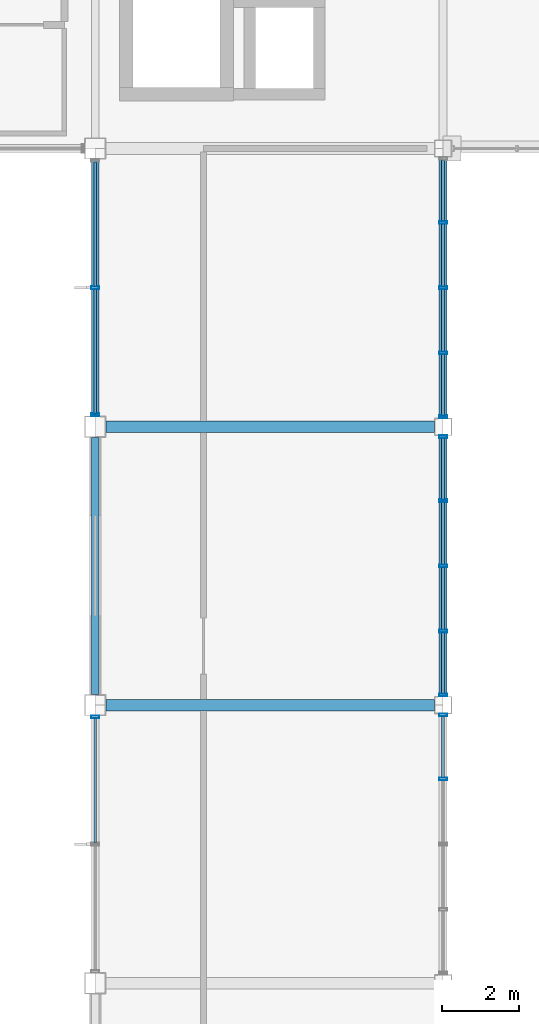
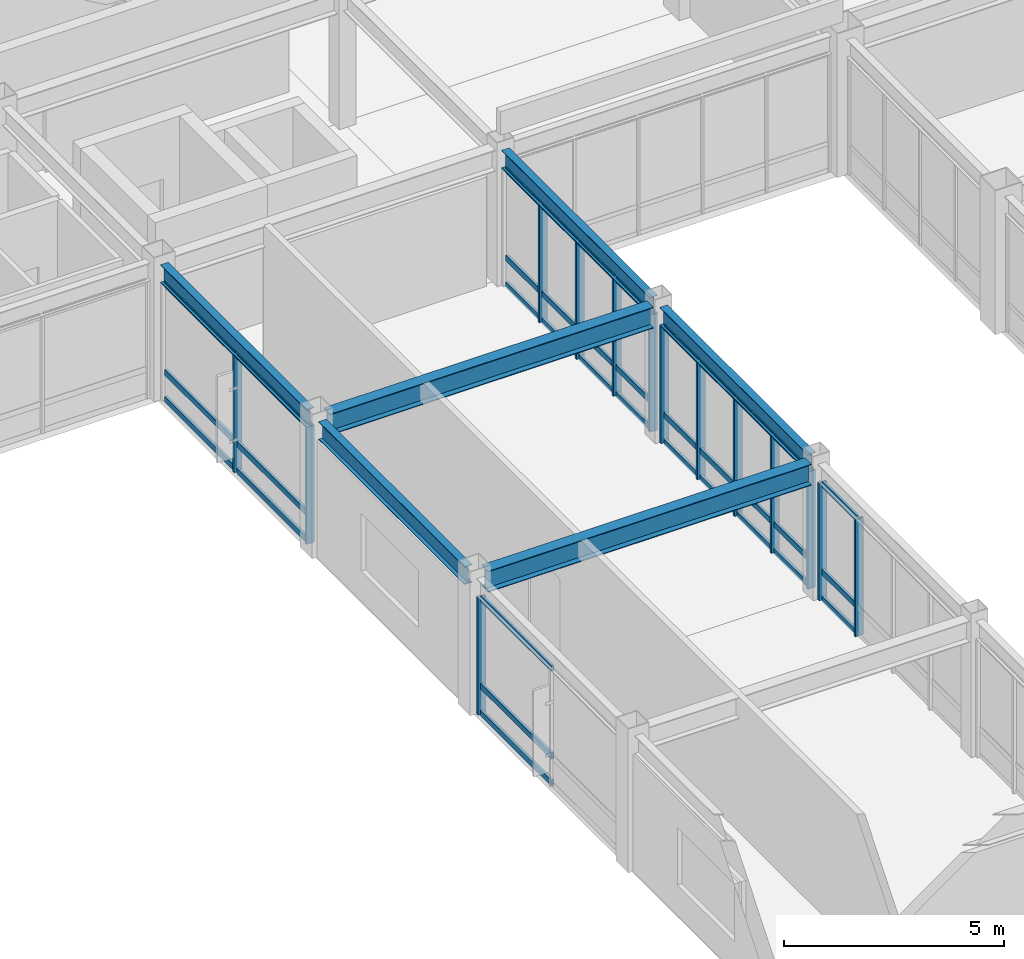
# One storey, part 48 of 122: 50 members, 6 beams, 5 elements without a shape of their own.
"""IFC4 building model written with IfcOpenShell, lengths in metres."""

import ifcopenshell
import ifcopenshell.guid

model = None  # the IFC model being written
_history = None  # IfcOwnerHistory: only IFC2X3 demands one
_inside = {}  # id of a spatial element -> (the spatial element, [elements in it])
_under = {}  # id of a project, library or spatial element -> (it, [spatial elements below it])
_declared = {}  # id of a project -> (the project, [libraries it declares])
_typed = {}  # id of a type object -> (the type object, [elements of that type])
_made_of = {}  # id of a material, layer set ... -> (it, [elements and type objects made of it])


def new_model(schema):
    """Start an empty IFC model of exactly this schema.

    Asked for "IFC4X3", IfcOpenShell would pick the latest addendum, in which some entities
    have other attributes; the version numbers below select the first issue.
    IFC2X3 requires an IfcOwnerHistory on every rooted entity: one is made here for all.
    """
    global model, _history
    if schema == "IFC4X3":
        model = ifcopenshell.file(schema_version=(4, 3, 0, 0))
    else:
        model = ifcopenshell.file(schema=schema)
    _inside.clear()
    _under.clear()
    _declared.clear()
    _typed.clear()
    _made_of.clear()
    _history = None
    if model.schema == "IFC2X3":
        org = make("IfcOrganization", Name="unknown")
        user = make(
            "IfcPersonAndOrganization",
            ThePerson=make("IfcPerson", FamilyName="unknown"),
            TheOrganization=org,
        )
        app = make(
            "IfcApplication",
            ApplicationDeveloper=org,
            Version="unknown",
            ApplicationFullName="unknown",
            ApplicationIdentifier="unknown",
        )
        _history = make(
            "IfcOwnerHistory",
            OwningUser=user,
            OwningApplication=app,
            ChangeAction="ADDED",
            CreationDate=0,
        )
    return model


def make(cls, **values):
    """One entity of the class cls with the attributes given. An attribute that is None is left unset."""
    return model.create_entity(
        cls, **{name: value for name, value in values.items() if value is not None}
    )


def rooted(cls, **values):
    """An entity with a GlobalId (a new one), such as an element, a storey or a relation."""
    return make(cls, GlobalId=ifcopenshell.guid.new(), OwnerHistory=_history, **values)


def si_unit(unit_type, name, prefix=None):
    """IfcSIUnit, for example si_unit("LENGTHUNIT", "METRE", prefix="MILLI")."""
    return make("IfcSIUnit", UnitType=unit_type, Prefix=prefix, Name=name)


def assignment(units):
    """IfcUnitAssignment: the units of a project."""
    return None if units is None else make("IfcUnitAssignment", Units=units)


def point(xyz):
    """IfcCartesianPoint."""
    return None if xyz is None else make("IfcCartesianPoint", Coordinates=xyz)


def direction(xyz):
    """IfcDirection."""
    return None if xyz is None else make("IfcDirection", DirectionRatios=xyz)


def frame(location, z_axis=None, x_axis=None):
    """IfcAxis2Placement3D, a coordinate frame: its origin and axes. An axis left out is left unset."""
    return make(
        "IfcAxis2Placement3D",
        Location=point(location),
        Axis=direction(z_axis),
        RefDirection=direction(x_axis),
    )


def frame_2d(location, x_axis=None):
    """IfcAxis2Placement2D, a coordinate frame in the plane: its origin and x axis."""
    return make(
        "IfcAxis2Placement2D", Location=point(location), RefDirection=direction(x_axis)
    )


def origin():
    """The frame at (0, 0, 0) with its axes left unset."""
    return frame((0.0, 0.0, 0.0))


def origin_2d():
    """The frame at (0, 0) in the plane with its x axis left unset."""
    return frame_2d((0.0, 0.0))


def place(relative_to, where):
    """IfcLocalPlacement: puts the frame where relative to a parent placement (None: the world)."""
    return make(
        "IfcLocalPlacement", PlacementRelTo=relative_to, RelativePlacement=where
    )


def context(
    kind, dimensions, precision=None, world=None, true_north=None, identifier=None
):
    """IfcGeometricRepresentationContext, for example the 3D "Model" context."""
    return make(
        "IfcGeometricRepresentationContext",
        ContextIdentifier=identifier,
        ContextType=kind,
        CoordinateSpaceDimension=dimensions,
        Precision=precision,
        WorldCoordinateSystem=world,
        TrueNorth=true_north,
    )


def subcontext(parent, identifier, kind, view, scale=None):
    """IfcGeometricRepresentationSubContext, for example "Body" below "Model"."""
    return make(
        "IfcGeometricRepresentationSubContext",
        ContextIdentifier=identifier,
        ContextType=kind,
        ParentContext=parent,
        TargetScale=scale,
        TargetView=view,
    )


def project(units=None, contexts=None):
    """IfcProject with its units and contexts."""
    return rooted(
        "IfcProject",
        Name="project",
        RepresentationContexts=contexts,
        UnitsInContext=assignment(units),
    )


def spatial(cls, under=None, at=None, **own):
    """A site, building, storey or space (cls), placed at a placement, below another one or the project."""
    s = rooted(cls, ObjectPlacement=at, **own)
    if under is not None:
        _under.setdefault(under.id(), (under, []))[1].append(s)
    return s


def profile(cls, at=None, kind="AREA", **sizes):
    """A parametric profile (cls). Its sizes go by their IFC names, for example OverallWidth=200.0."""
    return make(cls, ProfileType=kind, Position=at, **sizes)


def hollow_rectangle(**sizes):
    """IfcRectangleHollowProfileDef."""
    return profile("IfcRectangleHollowProfileDef", **sizes)


def i_section(**sizes):
    """IfcIShapeProfileDef."""
    return profile("IfcIShapeProfileDef", **sizes)


def extrude(swept, where, along, depth):
    """IfcExtrudedAreaSolid: the profile swept, set in the frame where, extruded along a direction by depth."""
    return make(
        "IfcExtrudedAreaSolid",
        SweptArea=swept,
        Position=where,
        ExtrudedDirection=direction(along),
        Depth=depth,
    )


def shape(context_of_items, identifier, shape_type, items):
    """IfcShapeRepresentation: the items that make up one representation, for example the "Body"."""
    return make(
        "IfcShapeRepresentation",
        ContextOfItems=context_of_items,
        RepresentationIdentifier=identifier,
        RepresentationType=shape_type,
        Items=items,
    )


def material(Name=None, Category=None):
    """IfcMaterial."""
    return make("IfcMaterial", Name=Name, Category=Category)


def material_profile(
    of_material, cross_section, Name=None, Category=None, Priority=None
):
    """IfcMaterialProfile: a cross section and its material."""
    return make(
        "IfcMaterialProfile",
        Name=Name,
        Material=of_material,
        Profile=cross_section,
        Priority=Priority,
        Category=Category,
    )


def profile_set(profiles, Name=None, composite=None):
    """IfcMaterialProfileSet."""
    return make(
        "IfcMaterialProfileSet",
        Name=Name,
        MaterialProfiles=profiles,
        CompositeProfile=composite,
    )


def made_of(thing, what):
    """Note that an element or type object is made of a material, layer set ...; save() writes the relation."""
    if what is not None:
        _made_of.setdefault(what.id(), (what, []))[1].append(thing)
    return thing


def type_object(cls, material=None, **own):
    """A type object (cls), such as IfcWallType, which elements share."""
    return made_of(rooted(cls, **own), material)


def element(
    cls,
    number,
    at=None,
    inside=None,
    cuts=None,
    type_object=None,
    material=None,
    context=None,
    identifier="Body",
    shape_type=None,
    held_by="IfcProductDefinitionShape",
    body=None,
    shapes=None,
    **own,
):
    """One element of the class cls, such as IfcWall. Its Tag is "e" and its number.

    at: its placement. inside: the storey or other place that contains it. cuts: it is an
    opening in that element (IfcRelVoidsElement). A single representation is given by context,
    identifier, shape_type and body (its items); several are given by shapes. held_by: the class
    of the entity that holds the representations. save() writes the other relations.
    """
    e = rooted(cls, Tag="e%d" % number, ObjectPlacement=at, **own)
    if body is not None:
        shapes = [shape(context, identifier, shape_type, body)]
    if shapes is not None:
        e.Representation = make(held_by, Representations=shapes)
    if inside is not None:
        _inside.setdefault(inside.id(), (inside, []))[1].append(e)
    if cuts is not None:
        rooted(
            "IfcRelVoidsElement", RelatingBuildingElement=cuts, RelatedOpeningElement=e
        )
    if type_object is not None:
        _typed.setdefault(type_object.id(), (type_object, []))[1].append(e)
    return made_of(e, material)


def aggregate(whole, parts):
    """IfcRelAggregates: a whole, such as a stair, and the parts it consists of."""
    return rooted("IfcRelAggregates", RelatingObject=whole, RelatedObjects=parts)


def save(model, path):
    """Write the relations noted so far, then the file.

    IfcRelAggregates (storeys below a building ...), IfcRelContainedInSpatialStructure (elements
    in a storey), IfcRelDefinesByType, IfcRelAssociatesMaterial and IfcRelDeclares: one each for
    every whole, place, type object, material and project.
    """
    for whole, parts in _under.values():
        aggregate(whole, parts)
    for where, things in _inside.values():
        rooted(
            "IfcRelContainedInSpatialStructure",
            RelatedElements=things,
            RelatingStructure=where,
        )
    for kind, things in _typed.values():
        rooted("IfcRelDefinesByType", RelatedObjects=things, RelatingType=kind)
    for what, things in _made_of.values():
        rooted("IfcRelAssociatesMaterial", RelatedObjects=things, RelatingMaterial=what)
    for by, libraries in _declared.values():
        rooted("IfcRelDeclares", RelatingContext=by, RelatedDefinitions=libraries)
    model.write(path)


model = new_model("IFC4")

# Units and contexts
model_context = context("Model", 3, precision=1e-05, world=origin(), true_north=direction((0.0, 1.0)))
body_context = subcontext(model_context, "Body", "Model", "MODEL_VIEW")
ifc_project = project(units=[si_unit("LENGTHUNIT", "METRE"), si_unit("AREAUNIT", "SQUARE_METRE"), si_unit("VOLUMEUNIT", "CUBIC_METRE"), si_unit("PLANEANGLEUNIT", "RADIAN"), si_unit("MASSUNIT", "GRAM", prefix="KILO")], contexts=[model_context])

# Site, building, storey
site_placement = place(None, origin())
site = spatial("IfcSite", under=ifc_project, at=site_placement, CompositionType="ELEMENT")
building_placement = place(site_placement, origin())
building = spatial("IfcBuilding", under=site, at=building_placement, Name="Kazanami Central Library", CompositionType="ELEMENT")
storey_placement = place(building_placement, frame((0.0, 0.0, 4.800048828125)))
storey = spatial("IfcBuildingStorey", under=building, at=storey_placement, Name="L02", CompositionType="ELEMENT", Elevation=4.800048828125)

# Beams
ifc_material_1 = material(Name="Steel SN490B (325 MPa)", Category="steel")
ifc_material_profile_1 = material_profile(ifc_material_1, i_section(OverallWidth=0.300048828125, OverallDepth=0.587890625, WebThickness=0.011962890625, FlangeThickness=0.02001953125, at=origin_2d()), Name="H-588x300x12x20")
ifc_profile_set_1 = profile_set([ifc_material_profile_1], Name="Steel SN490B (325 MPa)")
beam_type_1 = type_object("IfcBeamType", Name="BM-G-X2", PredefinedType="BEAM", material=ifc_profile_set_1)
for number, where, z_axis, x_axis, name in (
    (1, (99.27294921875, 50.39990234375, 3.4609375), (1.0, 0.0, 0.0), (0.0, 1.0, 0.0), "Girder G-X2 L02 H/12-13"),
    (2, (99.27294921875, 57.60009765625, 3.4609375), (1.0, 0.0, 0.0), (0.0, 1.0, 0.0), "Girder G-X2 L02 J/12-13"),
):
    element("IfcBeam", number, at=place(storey_placement, frame(where, z_axis=z_axis, x_axis=x_axis)), inside=storey, type_object=beam_type_1, Name=name, PredefinedType="BEAM", context=body_context, shape_type="SweptSolid", body=[
        extrude(i_section(OverallWidth=0.300048828125, OverallDepth=0.587890625, WebThickness=0.011962890625, FlangeThickness=0.02001953125, at=origin_2d()), origin(), (0.0, 0.0, 1.0), 8.504150390625),
    ])
ifc_material_profile_2 = material_profile(ifc_material_1, i_section(OverallWidth=0.199951171875, OverallDepth=0.5, WebThickness=0.010009765625, FlangeThickness=0.01611328125, at=origin_2d()), Name="H-500x200x10x16")
ifc_profile_set_2 = profile_set([ifc_material_profile_2], Name="Steel SN490B (325 MPa)")
beam_type_2 = type_object("IfcBeamType", Name="BM-SP-1", PredefinedType="SPANDREL", material=ifc_profile_set_2)
beam_1_placement = place(storey_placement, frame((99.0, 50.673095703125, 3.5048828125), z_axis=(0.0, 1.0, 0.0), x_axis=(-1.0, 0.0, 0.0)))
element("IfcBeam", 3, at=beam_1_placement, inside=storey, type_object=beam_type_2, Name="Girder SP-1 L02 12/H-J", PredefinedType="SPANDREL", context=body_context, shape_type="SweptSolid", body=[
    extrude(i_section(OverallWidth=0.199951171875, OverallDepth=0.5, WebThickness=0.010009765625, FlangeThickness=0.01611328125, at=origin_2d()), origin(), (0.0, 0.0, 1.0), 6.65380859375),
])
beam_2_placement = place(storey_placement, frame((99.0, 57.873046875, 3.5048828125), z_axis=(0.0, 1.0, 0.0), x_axis=(-1.0, 0.0, 0.0)))
element("IfcBeam", 4, at=beam_2_placement, inside=storey, type_object=beam_type_2, Name="Girder SP-1 L02 12/J-K", PredefinedType="SPANDREL", context=body_context, shape_type="SweptSolid", body=[
    extrude(i_section(OverallWidth=0.199951171875, OverallDepth=0.5, WebThickness=0.010009765625, FlangeThickness=0.01611328125, at=origin_2d()), origin(), (0.0, 0.0, 1.0), 6.654052734375),
])
for number, where, z_axis, x_axis, name in (
    (5, (108.0, 50.623046875, 3.5048828125), (0.0, 1.0, 0.0), (-1.0, 0.0, 0.0), "Girder SP-1 L02 13/H-J"),
    (6, (108.0, 57.822998046875, 3.5048828125), (0.0, 1.0, 0.0), (-1.0, 0.0, 0.0), "Girder SP-1 L02 13/J-K"),
):
    element("IfcBeam", number, at=place(storey_placement, frame(where, z_axis=z_axis, x_axis=x_axis)), inside=storey, type_object=beam_type_2, Name=name, PredefinedType="SPANDREL", context=body_context, shape_type="SweptSolid", body=[
        extrude(i_section(OverallWidth=0.199951171875, OverallDepth=0.5, WebThickness=0.010009765625, FlangeThickness=0.01611328125, at=origin_2d()), origin(), (0.0, 0.0, 1.0), 6.75390625),
    ])

# Curtain wall, member
ifc_material_2 = material(Name="Acid-Etched Low-E Laminated Glass", Category="glass")
curtain_wall_type_1 = type_object("IfcCurtainWallType", Name="CW-6650x3255-M275", PredefinedType="USERDEFINED", material=ifc_material_2)
curtain_wall_1_placement = place(storey_placement, origin())
curtain_wall_1 = element("IfcCurtainWall", 7, at=curtain_wall_1_placement, inside=storey, type_object=curtain_wall_type_1, Name="Unitised Curtain Wall CW-22 L02 W-12-06", ObjectType="UNITISED CURTAIN WALL", PredefinedType="USERDEFINED")
ifc_material_3 = material(Name="Anodised Aluminium A6063-T5", Category="aluminium")
ifc_material_profile_3 = material_profile(ifc_material_3, hollow_rectangle(XDim=0.070068359375, YDim=0.2099609375, WallThickness=0.0048828125, at=origin_2d()), Name="ALU-MULL-70x210x5")
ifc_profile_set_3 = profile_set([ifc_material_profile_3], Name="Anodised Aluminium A6063-T5")
member_type_1 = type_object("IfcMemberType", Name="MEM-CW-M1", PredefinedType="MULLION", material=ifc_profile_set_3)
member_1_placement = place(storey_placement, frame((99.0, 50.090087890625, 0.0), z_axis=(0.0, 0.0, 1.0), x_axis=(0.0, 1.0, 0.0)))
member_1 = element("IfcMember", 8, at=member_1_placement, type_object=member_type_1, Name="CW-22 mullion 3", PredefinedType="MULLION", context=body_context, shape_type="SweptSolid", body=[
    extrude(hollow_rectangle(XDim=0.070068359375, YDim=0.2099609375, WallThickness=0.0048828125, at=origin_2d()), origin(), (0.0, 0.0, 1.0), 3.2548828125),
])

# Curtain wall, members
curtain_wall_2_placement = place(storey_placement, origin())
curtain_wall_2 = element("IfcCurtainWall", 9, at=curtain_wall_2_placement, inside=storey, type_object=curtain_wall_type_1, Name="Unitised Curtain Wall CW-22 L02 W-12-08", ObjectType="UNITISED CURTAIN WALL", PredefinedType="USERDEFINED")
member_2_placement = place(storey_placement, frame((99.0, 57.909912109375, 0.0), z_axis=(0.0, 0.0, 1.0), x_axis=(0.0, 1.0, 0.0)))
member_2 = element("IfcMember", 10, at=member_2_placement, type_object=member_type_1, Name="CW-22 mullion 1", PredefinedType="MULLION", context=body_context, shape_type="SweptSolid", body=[
    extrude(hollow_rectangle(XDim=0.070068359375, YDim=0.2099609375, WallThickness=0.0048828125, at=origin_2d()), origin(), (0.0, 0.0, 1.0), 3.2548828125),
])
member_3_placement = place(storey_placement, frame((99.0, 61.199951171875, 0.0), z_axis=(0.0, 0.0, 1.0), x_axis=(0.0, 1.0, 0.0)))
member_3 = element("IfcMember", 11, at=member_3_placement, type_object=member_type_1, Name="CW-22 mullion 2", PredefinedType="MULLION", context=body_context, shape_type="SweptSolid", body=[
    extrude(hollow_rectangle(XDim=0.070068359375, YDim=0.2099609375, WallThickness=0.0048828125, at=origin_2d()), origin(), (0.0, 0.0, 1.0), 3.2548828125),
])

curtain_wall_type_2 = type_object("IfcCurtainWallType", Name="CW-6750x3255-M180", PredefinedType="USERDEFINED", material=ifc_material_2)
curtain_wall_3_placement = place(storey_placement, origin())
curtain_wall_3 = element("IfcCurtainWall", 12, at=curtain_wall_3_placement, inside=storey, type_object=curtain_wall_type_2, Name="Covered Link Bridge Curtain Wall CW-21 L02 E-13-06", ObjectType="UNITISED CURTAIN WALL", PredefinedType="USERDEFINED")
member_4_placement = place(storey_placement, frame((108.0, 50.139892578125, 0.0), z_axis=(0.0, 0.0, 1.0), x_axis=(0.0, -1.0, 0.0)))
member_4 = element("IfcMember", 13, at=member_4_placement, type_object=member_type_1, Name="CW-21 mullion 1", PredefinedType="MULLION", context=body_context, shape_type="SweptSolid", body=[
    extrude(hollow_rectangle(XDim=0.070068359375, YDim=0.2099609375, WallThickness=0.0048828125, at=origin_2d()), origin(), (0.0, 0.0, 1.0), 3.2548828125),
])
member_5_placement = place(storey_placement, frame((108.0, 48.487548828125, 0.0), z_axis=(0.0, 0.0, 1.0), x_axis=(0.0, -1.0, 0.0)))
member_5 = element("IfcMember", 14, at=member_5_placement, type_object=member_type_1, Name="CW-21 mullion 2", PredefinedType="MULLION", context=body_context, shape_type="SweptSolid", body=[
    extrude(hollow_rectangle(XDim=0.070068359375, YDim=0.2099609375, WallThickness=0.0048828125, at=origin_2d()), origin(), (0.0, 0.0, 1.0), 3.2548828125),
])

curtain_wall_4_placement = place(storey_placement, origin())
curtain_wall_4 = element("IfcCurtainWall", 15, at=curtain_wall_4_placement, inside=storey, type_object=curtain_wall_type_2, Name="Covered Link Bridge Curtain Wall CW-21 L02 E-13-07", ObjectType="UNITISED CURTAIN WALL", PredefinedType="USERDEFINED")
member_6_placement = place(storey_placement, frame((108.0, 57.340087890625, 0.0), z_axis=(0.0, 0.0, 1.0), x_axis=(0.0, -1.0, 0.0)))
member_6 = element("IfcMember", 16, at=member_6_placement, type_object=member_type_1, Name="CW-21 mullion 1", PredefinedType="MULLION", context=body_context, shape_type="SweptSolid", body=[
    extrude(hollow_rectangle(XDim=0.070068359375, YDim=0.2099609375, WallThickness=0.0048828125, at=origin_2d()), origin(), (0.0, 0.0, 1.0), 3.2548828125),
])
member_7_placement = place(storey_placement, frame((108.0, 55.6875, 0.0), z_axis=(0.0, 0.0, 1.0), x_axis=(0.0, -1.0, 0.0)))
member_7 = element("IfcMember", 17, at=member_7_placement, type_object=member_type_1, Name="CW-21 mullion 2", PredefinedType="MULLION", context=body_context, shape_type="SweptSolid", body=[
    extrude(hollow_rectangle(XDim=0.070068359375, YDim=0.2099609375, WallThickness=0.0048828125, at=origin_2d()), origin(), (0.0, 0.0, 1.0), 3.2548828125),
])
member_8_placement = place(storey_placement, frame((108.0, 54.0, 0.0), z_axis=(0.0, 0.0, 1.0), x_axis=(0.0, -1.0, 0.0)))
member_8 = element("IfcMember", 18, at=member_8_placement, type_object=member_type_1, Name="CW-21 mullion 3", PredefinedType="MULLION", context=body_context, shape_type="SweptSolid", body=[
    extrude(hollow_rectangle(XDim=0.070068359375, YDim=0.2099609375, WallThickness=0.0048828125, at=origin_2d()), origin(), (0.0, 0.0, 1.0), 3.2548828125),
])
member_9_placement = place(storey_placement, frame((108.0, 52.3125, 0.0), z_axis=(0.0, 0.0, 1.0), x_axis=(0.0, -1.0, 0.0)))
member_9 = element("IfcMember", 19, at=member_9_placement, type_object=member_type_1, Name="CW-21 mullion 4", PredefinedType="MULLION", context=body_context, shape_type="SweptSolid", body=[
    extrude(hollow_rectangle(XDim=0.070068359375, YDim=0.2099609375, WallThickness=0.0048828125, at=origin_2d()), origin(), (0.0, 0.0, 1.0), 3.2548828125),
])
member_10_placement = place(storey_placement, frame((108.0, 50.659912109375, 0.0), z_axis=(0.0, 0.0, 1.0), x_axis=(0.0, -1.0, 0.0)))
member_10 = element("IfcMember", 20, at=member_10_placement, type_object=member_type_1, Name="CW-21 mullion 5", PredefinedType="MULLION", context=body_context, shape_type="SweptSolid", body=[
    extrude(hollow_rectangle(XDim=0.070068359375, YDim=0.2099609375, WallThickness=0.0048828125, at=origin_2d()), origin(), (0.0, 0.0, 1.0), 3.2548828125),
])

curtain_wall_5_placement = place(storey_placement, origin())
curtain_wall_5 = element("IfcCurtainWall", 21, at=curtain_wall_5_placement, inside=storey, type_object=curtain_wall_type_2, Name="Covered Link Bridge Curtain Wall CW-21 L02 E-13-08", ObjectType="UNITISED CURTAIN WALL", PredefinedType="USERDEFINED")
member_11_placement = place(storey_placement, frame((108.0, 62.887451171875, 0.0), z_axis=(0.0, 0.0, 1.0), x_axis=(0.0, -1.0, 0.0)))
member_11 = element("IfcMember", 22, at=member_11_placement, type_object=member_type_1, Name="CW-21 mullion 2", PredefinedType="MULLION", context=body_context, shape_type="SweptSolid", body=[
    extrude(hollow_rectangle(XDim=0.070068359375, YDim=0.2099609375, WallThickness=0.0048828125, at=origin_2d()), origin(), (0.0, 0.0, 1.0), 3.2548828125),
])
member_12_placement = place(storey_placement, frame((108.0, 61.199951171875, 0.0), z_axis=(0.0, 0.0, 1.0), x_axis=(0.0, -1.0, 0.0)))
member_12 = element("IfcMember", 23, at=member_12_placement, type_object=member_type_1, Name="CW-21 mullion 3", PredefinedType="MULLION", context=body_context, shape_type="SweptSolid", body=[
    extrude(hollow_rectangle(XDim=0.070068359375, YDim=0.2099609375, WallThickness=0.0048828125, at=origin_2d()), origin(), (0.0, 0.0, 1.0), 3.2548828125),
])
member_13_placement = place(storey_placement, frame((108.0, 59.512451171875, 0.0), z_axis=(0.0, 0.0, 1.0), x_axis=(0.0, -1.0, 0.0)))
member_13 = element("IfcMember", 24, at=member_13_placement, type_object=member_type_1, Name="CW-21 mullion 4", PredefinedType="MULLION", context=body_context, shape_type="SweptSolid", body=[
    extrude(hollow_rectangle(XDim=0.070068359375, YDim=0.2099609375, WallThickness=0.0048828125, at=origin_2d()), origin(), (0.0, 0.0, 1.0), 3.2548828125),
])
member_14_placement = place(storey_placement, frame((108.0, 57.860107421875, 0.0), z_axis=(0.0, 0.0, 1.0), x_axis=(0.0, -1.0, 0.0)))
member_14 = element("IfcMember", 25, at=member_14_placement, type_object=member_type_1, Name="CW-21 mullion 5", PredefinedType="MULLION", context=body_context, shape_type="SweptSolid", body=[
    extrude(hollow_rectangle(XDim=0.070068359375, YDim=0.2099609375, WallThickness=0.0048828125, at=origin_2d()), origin(), (0.0, 0.0, 1.0), 3.2548828125),
])

# Member
ifc_material_profile_4 = material_profile(ifc_material_3, hollow_rectangle(XDim=0.070068359375, YDim=0.159912109375, WallThickness=0.00390625, at=origin_2d()), Name="ALU-TRAN-70x160x4")
ifc_profile_set_4 = profile_set([ifc_material_profile_4], Name="Anodised Aluminium A6063-T5")
member_type_2 = type_object("IfcMemberType", Name="MEM-CW-T1", PredefinedType="USERDEFINED", material=ifc_profile_set_4)
member_15_placement = place(storey_placement, frame((99.0, 46.8349609375, 0.034912109375), z_axis=(0.0, 1.0, 0.0), x_axis=(-1.0, 0.0, 0.0)))
member_15 = element("IfcMember", 26, at=member_15_placement, type_object=member_type_2, Name="CW-22 transom 2.1", ObjectType="TRANSOM", PredefinedType="USERDEFINED", context=body_context, shape_type="SweptSolid", body=[
    extrude(hollow_rectangle(XDim=0.070068359375, YDim=0.159912109375, WallThickness=0.00390625, at=origin_2d()), origin(), (0.0, 0.0, 1.0), 3.219970703125),
])

member_16_placement = place(storey_placement, frame((99.0, 46.8349609375, 0.780029296875), z_axis=(0.0, 1.0, 0.0), x_axis=(-1.0, 0.0, 0.0)))
member_16 = element("IfcMember", 27, at=member_16_placement, type_object=member_type_2, Name="CW-22 transom 2.2", ObjectType="TRANSOM", PredefinedType="USERDEFINED", context=body_context, shape_type="SweptSolid", body=[
    extrude(hollow_rectangle(XDim=0.070068359375, YDim=0.159912109375, WallThickness=0.00390625, at=origin_2d()), origin(), (0.0, 0.0, 1.0), 3.219970703125),
])

member_17_placement = place(storey_placement, frame((99.0, 46.8349609375, 3.219970703125), z_axis=(0.0, 1.0, 0.0), x_axis=(-1.0, 0.0, 0.0)))
member_17 = element("IfcMember", 28, at=member_17_placement, type_object=member_type_2, Name="CW-22 transom 2.3", ObjectType="TRANSOM", PredefinedType="USERDEFINED", context=body_context, shape_type="SweptSolid", body=[
    extrude(hollow_rectangle(XDim=0.070068359375, YDim=0.159912109375, WallThickness=0.00390625, at=origin_2d()), origin(), (0.0, 0.0, 1.0), 3.219970703125),
])

aggregate(curtain_wall_1, [member_1, member_15, member_16, member_17])

member_18_placement = place(storey_placement, frame((99.0, 57.945068359375, 0.034912109375), z_axis=(0.0, 1.0, 0.0), x_axis=(-1.0, 0.0, 0.0)))
member_18 = element("IfcMember", 29, at=member_18_placement, type_object=member_type_2, Name="CW-22 transom 1.1", ObjectType="TRANSOM", PredefinedType="USERDEFINED", context=body_context, shape_type="SweptSolid", body=[
    extrude(hollow_rectangle(XDim=0.070068359375, YDim=0.159912109375, WallThickness=0.00390625, at=origin_2d()), origin(), (0.0, 0.0, 1.0), 3.219970703125),
])

member_19_placement = place(storey_placement, frame((99.0, 57.945068359375, 0.780029296875), z_axis=(0.0, 1.0, 0.0), x_axis=(-1.0, 0.0, 0.0)))
member_19 = element("IfcMember", 30, at=member_19_placement, type_object=member_type_2, Name="CW-22 transom 1.2", ObjectType="TRANSOM", PredefinedType="USERDEFINED", context=body_context, shape_type="SweptSolid", body=[
    extrude(hollow_rectangle(XDim=0.070068359375, YDim=0.159912109375, WallThickness=0.00390625, at=origin_2d()), origin(), (0.0, 0.0, 1.0), 3.219970703125),
])

member_20_placement = place(storey_placement, frame((99.0, 57.945068359375, 3.219970703125), z_axis=(0.0, 1.0, 0.0), x_axis=(-1.0, 0.0, 0.0)))
member_20 = element("IfcMember", 31, at=member_20_placement, type_object=member_type_2, Name="CW-22 transom 1.3", ObjectType="TRANSOM", PredefinedType="USERDEFINED", context=body_context, shape_type="SweptSolid", body=[
    extrude(hollow_rectangle(XDim=0.070068359375, YDim=0.159912109375, WallThickness=0.00390625, at=origin_2d()), origin(), (0.0, 0.0, 1.0), 3.219970703125),
])

member_21_placement = place(storey_placement, frame((99.0, 61.235107421875, 0.034912109375), z_axis=(0.0, 1.0, 0.0), x_axis=(-1.0, 0.0, 0.0)))
member_21 = element("IfcMember", 32, at=member_21_placement, type_object=member_type_2, Name="CW-22 transom 2.1", ObjectType="TRANSOM", PredefinedType="USERDEFINED", context=body_context, shape_type="SweptSolid", body=[
    extrude(hollow_rectangle(XDim=0.070068359375, YDim=0.159912109375, WallThickness=0.00390625, at=origin_2d()), origin(), (0.0, 0.0, 1.0), 3.219970703125),
])

member_22_placement = place(storey_placement, frame((99.0, 61.235107421875, 0.780029296875), z_axis=(0.0, 1.0, 0.0), x_axis=(-1.0, 0.0, 0.0)))
member_22 = element("IfcMember", 33, at=member_22_placement, type_object=member_type_2, Name="CW-22 transom 2.2", ObjectType="TRANSOM", PredefinedType="USERDEFINED", context=body_context, shape_type="SweptSolid", body=[
    extrude(hollow_rectangle(XDim=0.070068359375, YDim=0.159912109375, WallThickness=0.00390625, at=origin_2d()), origin(), (0.0, 0.0, 1.0), 3.219970703125),
])

member_23_placement = place(storey_placement, frame((99.0, 61.235107421875, 3.219970703125), z_axis=(0.0, 1.0, 0.0), x_axis=(-1.0, 0.0, 0.0)))
member_23 = element("IfcMember", 34, at=member_23_placement, type_object=member_type_2, Name="CW-22 transom 2.3", ObjectType="TRANSOM", PredefinedType="USERDEFINED", context=body_context, shape_type="SweptSolid", body=[
    extrude(hollow_rectangle(XDim=0.070068359375, YDim=0.159912109375, WallThickness=0.00390625, at=origin_2d()), origin(), (0.0, 0.0, 1.0), 3.219970703125),
])

aggregate(curtain_wall_2, [member_2, member_3, member_18, member_19, member_20, member_21, member_22, member_23])

member_24_placement = place(storey_placement, frame((108.0, 50.10498046875, 0.034912109375), z_axis=(0.0, -1.0, 0.0), x_axis=(1.0, 0.0, 0.0)))
member_24 = element("IfcMember", 35, at=member_24_placement, type_object=member_type_2, Name="CW-21 transom 1.1", ObjectType="TRANSOM", PredefinedType="USERDEFINED", context=body_context, shape_type="SweptSolid", body=[
    extrude(hollow_rectangle(XDim=0.070068359375, YDim=0.159912109375, WallThickness=0.00390625, at=origin_2d()), origin(), (0.0, 0.0, 1.0), 1.58251953125),
])

member_25_placement = place(storey_placement, frame((108.0, 50.10498046875, 0.780029296875), z_axis=(0.0, -1.0, 0.0), x_axis=(1.0, 0.0, 0.0)))
member_25 = element("IfcMember", 36, at=member_25_placement, type_object=member_type_2, Name="CW-21 transom 1.2", ObjectType="TRANSOM", PredefinedType="USERDEFINED", context=body_context, shape_type="SweptSolid", body=[
    extrude(hollow_rectangle(XDim=0.070068359375, YDim=0.159912109375, WallThickness=0.00390625, at=origin_2d()), origin(), (0.0, 0.0, 1.0), 1.58251953125),
])

member_26_placement = place(storey_placement, frame((108.0, 50.10498046875, 3.219970703125), z_axis=(0.0, -1.0, 0.0), x_axis=(1.0, 0.0, 0.0)))
member_26 = element("IfcMember", 37, at=member_26_placement, type_object=member_type_2, Name="CW-21 transom 1.3", ObjectType="TRANSOM", PredefinedType="USERDEFINED", context=body_context, shape_type="SweptSolid", body=[
    extrude(hollow_rectangle(XDim=0.070068359375, YDim=0.159912109375, WallThickness=0.00390625, at=origin_2d()), origin(), (0.0, 0.0, 1.0), 1.58251953125),
])

aggregate(curtain_wall_3, [member_4, member_5, member_24, member_25, member_26])

member_27_placement = place(storey_placement, frame((108.0, 57.304931640625, 0.034912109375), z_axis=(0.0, -1.0, 0.0), x_axis=(1.0, 0.0, 0.0)))
member_27 = element("IfcMember", 38, at=member_27_placement, type_object=member_type_2, Name="CW-21 transom 1.1", ObjectType="TRANSOM", PredefinedType="USERDEFINED", context=body_context, shape_type="SweptSolid", body=[
    extrude(hollow_rectangle(XDim=0.070068359375, YDim=0.159912109375, WallThickness=0.00390625, at=origin_2d()), origin(), (0.0, 0.0, 1.0), 1.58251953125),
])

member_28_placement = place(storey_placement, frame((108.0, 57.304931640625, 0.780029296875), z_axis=(0.0, -1.0, 0.0), x_axis=(1.0, 0.0, 0.0)))
member_28 = element("IfcMember", 39, at=member_28_placement, type_object=member_type_2, Name="CW-21 transom 1.2", ObjectType="TRANSOM", PredefinedType="USERDEFINED", context=body_context, shape_type="SweptSolid", body=[
    extrude(hollow_rectangle(XDim=0.070068359375, YDim=0.159912109375, WallThickness=0.00390625, at=origin_2d()), origin(), (0.0, 0.0, 1.0), 1.58251953125),
])

member_29_placement = place(storey_placement, frame((108.0, 57.304931640625, 3.219970703125), z_axis=(0.0, -1.0, 0.0), x_axis=(1.0, 0.0, 0.0)))
member_29 = element("IfcMember", 40, at=member_29_placement, type_object=member_type_2, Name="CW-21 transom 1.3", ObjectType="TRANSOM", PredefinedType="USERDEFINED", context=body_context, shape_type="SweptSolid", body=[
    extrude(hollow_rectangle(XDim=0.070068359375, YDim=0.159912109375, WallThickness=0.00390625, at=origin_2d()), origin(), (0.0, 0.0, 1.0), 1.58251953125),
])

member_30_placement = place(storey_placement, frame((108.0, 55.652587890625, 0.034912109375), z_axis=(0.0, -1.0, 0.0), x_axis=(1.0, 0.0, 0.0)))
member_30 = element("IfcMember", 41, at=member_30_placement, type_object=member_type_2, Name="CW-21 transom 2.1", ObjectType="TRANSOM", PredefinedType="USERDEFINED", context=body_context, shape_type="SweptSolid", body=[
    extrude(hollow_rectangle(XDim=0.070068359375, YDim=0.159912109375, WallThickness=0.00390625, at=origin_2d()), origin(), (0.0, 0.0, 1.0), 1.61767578125),
])

member_31_placement = place(storey_placement, frame((108.0, 55.652587890625, 0.780029296875), z_axis=(0.0, -1.0, 0.0), x_axis=(1.0, 0.0, 0.0)))
member_31 = element("IfcMember", 42, at=member_31_placement, type_object=member_type_2, Name="CW-21 transom 2.2", ObjectType="TRANSOM", PredefinedType="USERDEFINED", context=body_context, shape_type="SweptSolid", body=[
    extrude(hollow_rectangle(XDim=0.070068359375, YDim=0.159912109375, WallThickness=0.00390625, at=origin_2d()), origin(), (0.0, 0.0, 1.0), 1.61767578125),
])

member_32_placement = place(storey_placement, frame((108.0, 55.652587890625, 3.219970703125), z_axis=(0.0, -1.0, 0.0), x_axis=(1.0, 0.0, 0.0)))
member_32 = element("IfcMember", 43, at=member_32_placement, type_object=member_type_2, Name="CW-21 transom 2.3", ObjectType="TRANSOM", PredefinedType="USERDEFINED", context=body_context, shape_type="SweptSolid", body=[
    extrude(hollow_rectangle(XDim=0.070068359375, YDim=0.159912109375, WallThickness=0.00390625, at=origin_2d()), origin(), (0.0, 0.0, 1.0), 1.61767578125),
])

member_33_placement = place(storey_placement, frame((108.0, 53.965087890625, 0.034912109375), z_axis=(0.0, -1.0, 0.0), x_axis=(1.0, 0.0, 0.0)))
member_33 = element("IfcMember", 44, at=member_33_placement, type_object=member_type_2, Name="CW-21 transom 3.1", ObjectType="TRANSOM", PredefinedType="USERDEFINED", context=body_context, shape_type="SweptSolid", body=[
    extrude(hollow_rectangle(XDim=0.070068359375, YDim=0.159912109375, WallThickness=0.00390625, at=origin_2d()), origin(), (0.0, 0.0, 1.0), 1.61767578125),
])

member_34_placement = place(storey_placement, frame((108.0, 53.965087890625, 0.780029296875), z_axis=(0.0, -1.0, 0.0), x_axis=(1.0, 0.0, 0.0)))
member_34 = element("IfcMember", 45, at=member_34_placement, type_object=member_type_2, Name="CW-21 transom 3.2", ObjectType="TRANSOM", PredefinedType="USERDEFINED", context=body_context, shape_type="SweptSolid", body=[
    extrude(hollow_rectangle(XDim=0.070068359375, YDim=0.159912109375, WallThickness=0.00390625, at=origin_2d()), origin(), (0.0, 0.0, 1.0), 1.61767578125),
])

member_35_placement = place(storey_placement, frame((108.0, 53.965087890625, 3.219970703125), z_axis=(0.0, -1.0, 0.0), x_axis=(1.0, 0.0, 0.0)))
member_35 = element("IfcMember", 46, at=member_35_placement, type_object=member_type_2, Name="CW-21 transom 3.3", ObjectType="TRANSOM", PredefinedType="USERDEFINED", context=body_context, shape_type="SweptSolid", body=[
    extrude(hollow_rectangle(XDim=0.070068359375, YDim=0.159912109375, WallThickness=0.00390625, at=origin_2d()), origin(), (0.0, 0.0, 1.0), 1.61767578125),
])

member_36_placement = place(storey_placement, frame((108.0, 52.277587890625, 0.034912109375), z_axis=(0.0, -1.0, 0.0), x_axis=(1.0, 0.0, 0.0)))
member_36 = element("IfcMember", 47, at=member_36_placement, type_object=member_type_2, Name="CW-21 transom 4.1", ObjectType="TRANSOM", PredefinedType="USERDEFINED", context=body_context, shape_type="SweptSolid", body=[
    extrude(hollow_rectangle(XDim=0.070068359375, YDim=0.159912109375, WallThickness=0.00390625, at=origin_2d()), origin(), (0.0, 0.0, 1.0), 1.58251953125),
])

member_37_placement = place(storey_placement, frame((108.0, 52.277587890625, 0.780029296875), z_axis=(0.0, -1.0, 0.0), x_axis=(1.0, 0.0, 0.0)))
member_37 = element("IfcMember", 48, at=member_37_placement, type_object=member_type_2, Name="CW-21 transom 4.2", ObjectType="TRANSOM", PredefinedType="USERDEFINED", context=body_context, shape_type="SweptSolid", body=[
    extrude(hollow_rectangle(XDim=0.070068359375, YDim=0.159912109375, WallThickness=0.00390625, at=origin_2d()), origin(), (0.0, 0.0, 1.0), 1.58251953125),
])

member_38_placement = place(storey_placement, frame((108.0, 52.277587890625, 3.219970703125), z_axis=(0.0, -1.0, 0.0), x_axis=(1.0, 0.0, 0.0)))
member_38 = element("IfcMember", 49, at=member_38_placement, type_object=member_type_2, Name="CW-21 transom 4.3", ObjectType="TRANSOM", PredefinedType="USERDEFINED", context=body_context, shape_type="SweptSolid", body=[
    extrude(hollow_rectangle(XDim=0.070068359375, YDim=0.159912109375, WallThickness=0.00390625, at=origin_2d()), origin(), (0.0, 0.0, 1.0), 1.58251953125),
])

aggregate(curtain_wall_4, [member_6, member_7, member_8, member_9, member_10, member_27, member_28, member_29, member_30, member_31, member_32, member_33, member_34, member_35, member_36, member_37, member_38])

member_39_placement = place(storey_placement, frame((108.0, 64.5048828125, 0.034912109375), z_axis=(0.0, -1.0, 0.0), x_axis=(1.0, 0.0, 0.0)))
member_39 = element("IfcMember", 50, at=member_39_placement, type_object=member_type_2, Name="CW-21 transom 1.1", ObjectType="TRANSOM", PredefinedType="USERDEFINED", context=body_context, shape_type="SweptSolid", body=[
    extrude(hollow_rectangle(XDim=0.070068359375, YDim=0.159912109375, WallThickness=0.00390625, at=origin_2d()), origin(), (0.0, 0.0, 1.0), 1.582275390625),
])

member_40_placement = place(storey_placement, frame((108.0, 64.5048828125, 0.780029296875), z_axis=(0.0, -1.0, 0.0), x_axis=(1.0, 0.0, 0.0)))
member_40 = element("IfcMember", 51, at=member_40_placement, type_object=member_type_2, Name="CW-21 transom 1.2", ObjectType="TRANSOM", PredefinedType="USERDEFINED", context=body_context, shape_type="SweptSolid", body=[
    extrude(hollow_rectangle(XDim=0.070068359375, YDim=0.159912109375, WallThickness=0.00390625, at=origin_2d()), origin(), (0.0, 0.0, 1.0), 1.582275390625),
])

member_41_placement = place(storey_placement, frame((108.0, 64.5048828125, 3.219970703125), z_axis=(0.0, -1.0, 0.0), x_axis=(1.0, 0.0, 0.0)))
member_41 = element("IfcMember", 52, at=member_41_placement, type_object=member_type_2, Name="CW-21 transom 1.3", ObjectType="TRANSOM", PredefinedType="USERDEFINED", context=body_context, shape_type="SweptSolid", body=[
    extrude(hollow_rectangle(XDim=0.070068359375, YDim=0.159912109375, WallThickness=0.00390625, at=origin_2d()), origin(), (0.0, 0.0, 1.0), 1.582275390625),
])

member_42_placement = place(storey_placement, frame((108.0, 62.8525390625, 0.034912109375), z_axis=(0.0, -1.0, 0.0), x_axis=(1.0, 0.0, 0.0)))
member_42 = element("IfcMember", 53, at=member_42_placement, type_object=member_type_2, Name="CW-21 transom 2.1", ObjectType="TRANSOM", PredefinedType="USERDEFINED", context=body_context, shape_type="SweptSolid", body=[
    extrude(hollow_rectangle(XDim=0.070068359375, YDim=0.159912109375, WallThickness=0.00390625, at=origin_2d()), origin(), (0.0, 0.0, 1.0), 1.617431640625),
])

member_43_placement = place(storey_placement, frame((108.0, 62.8525390625, 0.780029296875), z_axis=(0.0, -1.0, 0.0), x_axis=(1.0, 0.0, 0.0)))
member_43 = element("IfcMember", 54, at=member_43_placement, type_object=member_type_2, Name="CW-21 transom 2.2", ObjectType="TRANSOM", PredefinedType="USERDEFINED", context=body_context, shape_type="SweptSolid", body=[
    extrude(hollow_rectangle(XDim=0.070068359375, YDim=0.159912109375, WallThickness=0.00390625, at=origin_2d()), origin(), (0.0, 0.0, 1.0), 1.617431640625),
])

member_44_placement = place(storey_placement, frame((108.0, 62.8525390625, 3.219970703125), z_axis=(0.0, -1.0, 0.0), x_axis=(1.0, 0.0, 0.0)))
member_44 = element("IfcMember", 55, at=member_44_placement, type_object=member_type_2, Name="CW-21 transom 2.3", ObjectType="TRANSOM", PredefinedType="USERDEFINED", context=body_context, shape_type="SweptSolid", body=[
    extrude(hollow_rectangle(XDim=0.070068359375, YDim=0.159912109375, WallThickness=0.00390625, at=origin_2d()), origin(), (0.0, 0.0, 1.0), 1.617431640625),
])

member_45_placement = place(storey_placement, frame((108.0, 61.1650390625, 0.034912109375), z_axis=(0.0, -1.0, 0.0), x_axis=(1.0, 0.0, 0.0)))
member_45 = element("IfcMember", 56, at=member_45_placement, type_object=member_type_2, Name="CW-21 transom 3.1", ObjectType="TRANSOM", PredefinedType="USERDEFINED", context=body_context, shape_type="SweptSolid", body=[
    extrude(hollow_rectangle(XDim=0.070068359375, YDim=0.159912109375, WallThickness=0.00390625, at=origin_2d()), origin(), (0.0, 0.0, 1.0), 1.617431640625),
])

member_46_placement = place(storey_placement, frame((108.0, 61.1650390625, 0.780029296875), z_axis=(0.0, -1.0, 0.0), x_axis=(1.0, 0.0, 0.0)))
member_46 = element("IfcMember", 57, at=member_46_placement, type_object=member_type_2, Name="CW-21 transom 3.2", ObjectType="TRANSOM", PredefinedType="USERDEFINED", context=body_context, shape_type="SweptSolid", body=[
    extrude(hollow_rectangle(XDim=0.070068359375, YDim=0.159912109375, WallThickness=0.00390625, at=origin_2d()), origin(), (0.0, 0.0, 1.0), 1.617431640625),
])

member_47_placement = place(storey_placement, frame((108.0, 61.1650390625, 3.219970703125), z_axis=(0.0, -1.0, 0.0), x_axis=(1.0, 0.0, 0.0)))
member_47 = element("IfcMember", 58, at=member_47_placement, type_object=member_type_2, Name="CW-21 transom 3.3", ObjectType="TRANSOM", PredefinedType="USERDEFINED", context=body_context, shape_type="SweptSolid", body=[
    extrude(hollow_rectangle(XDim=0.070068359375, YDim=0.159912109375, WallThickness=0.00390625, at=origin_2d()), origin(), (0.0, 0.0, 1.0), 1.617431640625),
])

member_48_placement = place(storey_placement, frame((108.0, 59.4775390625, 0.034912109375), z_axis=(0.0, -1.0, 0.0), x_axis=(1.0, 0.0, 0.0)))
member_48 = element("IfcMember", 59, at=member_48_placement, type_object=member_type_2, Name="CW-21 transom 4.1", ObjectType="TRANSOM", PredefinedType="USERDEFINED", context=body_context, shape_type="SweptSolid", body=[
    extrude(hollow_rectangle(XDim=0.070068359375, YDim=0.159912109375, WallThickness=0.00390625, at=origin_2d()), origin(), (0.0, 0.0, 1.0), 1.58251953125),
])

member_49_placement = place(storey_placement, frame((108.0, 59.4775390625, 0.780029296875), z_axis=(0.0, -1.0, 0.0), x_axis=(1.0, 0.0, 0.0)))
member_49 = element("IfcMember", 60, at=member_49_placement, type_object=member_type_2, Name="CW-21 transom 4.2", ObjectType="TRANSOM", PredefinedType="USERDEFINED", context=body_context, shape_type="SweptSolid", body=[
    extrude(hollow_rectangle(XDim=0.070068359375, YDim=0.159912109375, WallThickness=0.00390625, at=origin_2d()), origin(), (0.0, 0.0, 1.0), 1.58251953125),
])

member_50_placement = place(storey_placement, frame((108.0, 59.4775390625, 3.219970703125), z_axis=(0.0, -1.0, 0.0), x_axis=(1.0, 0.0, 0.0)))
member_50 = element("IfcMember", 61, at=member_50_placement, type_object=member_type_2, Name="CW-21 transom 4.3", ObjectType="TRANSOM", PredefinedType="USERDEFINED", context=body_context, shape_type="SweptSolid", body=[
    extrude(hollow_rectangle(XDim=0.070068359375, YDim=0.159912109375, WallThickness=0.00390625, at=origin_2d()), origin(), (0.0, 0.0, 1.0), 1.58251953125),
])

aggregate(curtain_wall_5, [member_11, member_12, member_13, member_14, member_39, member_40, member_41, member_42, member_43, member_44, member_45, member_46, member_47, member_48, member_49, member_50])

save(model, "model.ifc")
